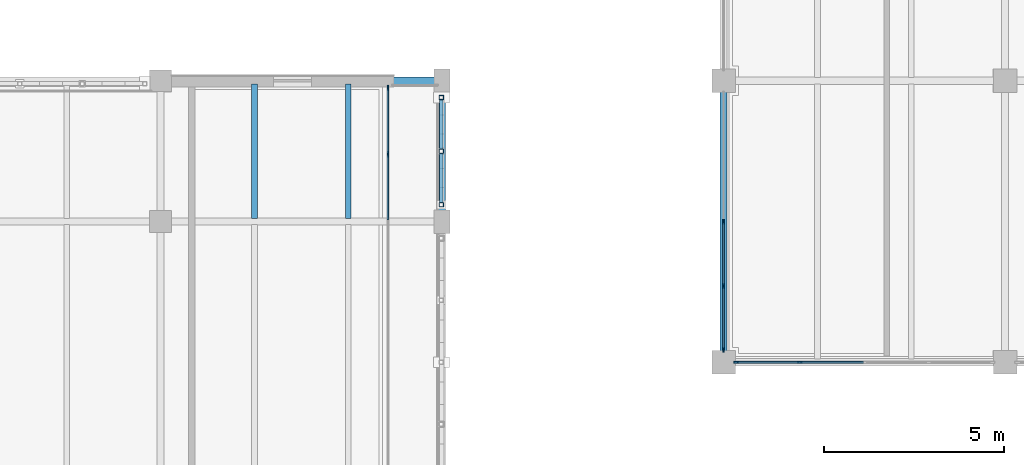
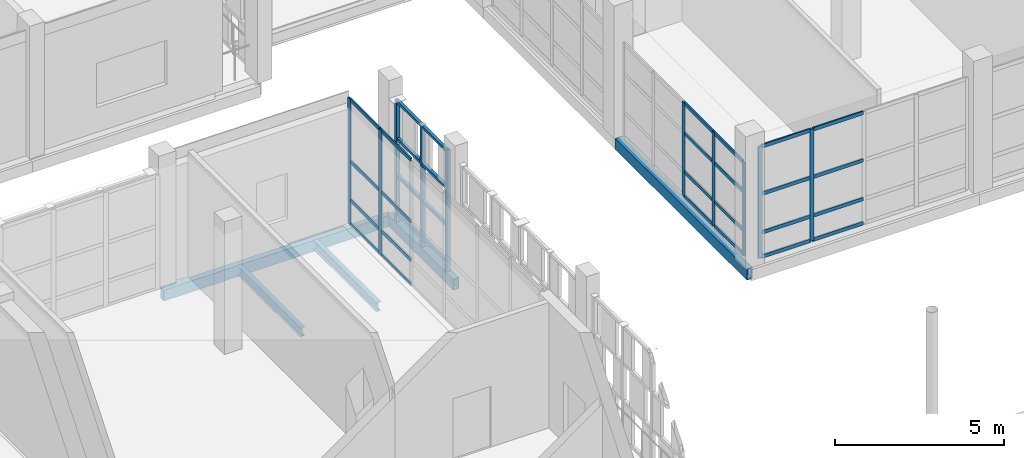
# One storey, part 28 of 138: 42 members, 5 beams, 3 elements without a shape of their own.
"""IFC4 building model written with IfcOpenShell, lengths in metres."""

from ifc_helpers import new_model, si_unit, direction, frame, origin, origin_2d, place, context, subcontext, project, spatial, rectangle, hollow_rectangle, i_section, extrude, material, layer, layer_set, material_profile, profile_set, type_object, element, aggregate, save


model = new_model("IFC4")

# Units and contexts
model_context = context("Model", 3, precision=1e-05, world=origin(), true_north=direction((0.0, 1.0)))
body_context = subcontext(model_context, "Body", "Model", "MODEL_VIEW")
ifc_project = project(units=[si_unit("LENGTHUNIT", "METRE"), si_unit("AREAUNIT", "SQUARE_METRE"), si_unit("VOLUMEUNIT", "CUBIC_METRE"), si_unit("PLANEANGLEUNIT", "RADIAN"), si_unit("MASSUNIT", "GRAM", prefix="KILO")], contexts=[model_context])

# Site, building, storey
site_placement = place(None, origin())
site = spatial("IfcSite", under=ifc_project, at=site_placement, CompositionType="ELEMENT")
building_placement = place(site_placement, origin())
building = spatial("IfcBuilding", under=site, at=building_placement, Name="Celorna Specialist Clinic", CompositionType="ELEMENT")
storey_placement = place(building_placement, frame((0.0, 0.0, 4.800048828125)))
storey = spatial("IfcBuildingStorey", under=building, at=storey_placement, Name="L01", CompositionType="ELEMENT", Elevation=4.800048828125)

# Beams
ifc_material_1 = material(Name="Steel S355", Category="steel")
ifc_material_profile_1 = material_profile(ifc_material_1, i_section(OverallWidth=0.159912109375, OverallDepth=0.330078125, WebThickness=0.007568359375, FlangeThickness=0.011474609375, at=origin_2d()), Name="IPE 330")
ifc_profile_set_1 = profile_set([ifc_material_profile_1], Name="Steel S355")
beam_type_1 = type_object("IfcBeamType", Name="BM-12", PredefinedType="JOIST", material=ifc_profile_set_1)
for number, where, z_axis, x_axis, name in (
    (1, (41.60009765625, 23.488037109375, -0.425048828125), (0.0, 1.0, 0.0), (-1.0, 0.0, 0.0), "Secondary floor joist BM-12 #1702"),
    (2, (44.199951171875, 23.488037109375, -0.425048828125), (0.0, 1.0, 0.0), (-1.0, 0.0, 0.0), "Secondary floor joist BM-12 #1703"),
):
    element("IfcBeam", number, at=place(storey_placement, frame(where, z_axis=z_axis, x_axis=x_axis)), inside=storey, type_object=beam_type_1, Name=name, PredefinedType="JOIST", context=body_context, shape_type="SweptSolid", body=[
        extrude(i_section(OverallWidth=0.159912109375, OverallDepth=0.330078125, WebThickness=0.007568359375, FlangeThickness=0.011474609375, at=origin_2d()), origin(), (0.0, 0.0, 1.0), 3.723876953125),
    ])
ifc_material_profile_2 = material_profile(ifc_material_1, hollow_rectangle(XDim=0.199951171875, YDim=0.39990234375, WallThickness=0.011962890625, at=origin_2d()), Name="RHS 200x400x12")
ifc_profile_set_2 = profile_set([ifc_material_profile_2], Name="Steel S355")
beam_type_2 = type_object("IfcBeamType", Name="BM-15", PredefinedType="SPANDREL", material=ifc_profile_set_2)
beam_1_placement = place(storey_placement, frame((39.0, 27.300048828125, -0.4599609375), z_axis=(1.0, 0.0, 0.0), x_axis=(0.0, 1.0, 0.0)))
element("IfcBeam", 3, at=beam_1_placement, inside=storey, type_object=beam_type_2, Name="Spandrel beam BM-15 #1617", PredefinedType="SPANDREL", context=body_context, shape_type="SweptSolid", body=[
    extrude(hollow_rectangle(XDim=0.199951171875, YDim=0.39990234375, WallThickness=0.011962890625, at=origin_2d()), origin(), (0.0, 0.0, 1.0), 7.800048828125),
])
beam_2_placement = place(storey_placement, frame((46.800048828125, 23.39990234375, -0.4599609375), z_axis=(0.0, 1.0, 0.0), x_axis=(-1.0, 0.0, 0.0)))
element("IfcBeam", 4, at=beam_2_placement, inside=storey, type_object=beam_type_2, Name="Spandrel beam BM-15 #1652", PredefinedType="SPANDREL", context=body_context, shape_type="SweptSolid", body=[
    extrude(hollow_rectangle(XDim=0.199951171875, YDim=0.39990234375, WallThickness=0.011962890625, at=origin_2d()), origin(), (0.0, 0.0, 1.0), 3.900146484375),
])
beam_3_placement = place(storey_placement, frame((54.60009765625, 19.5, -0.4599609375), z_axis=(0.0, 1.0, 0.0), x_axis=(-1.0, 0.0, 0.0)))
element("IfcBeam", 5, at=beam_3_placement, inside=storey, type_object=beam_type_2, Name="Spandrel beam BM-15 #2079", PredefinedType="SPANDREL", context=body_context, shape_type="SweptSolid", body=[
    extrude(hollow_rectangle(XDim=0.199951171875, YDim=0.39990234375, WallThickness=0.011962890625, at=origin_2d()), origin(), (0.0, 0.0, 1.0), 7.800048828125),
])

# Members
ifc_material_profile_3 = material_profile(ifc_material_1, hollow_rectangle(XDim=0.1201171875, YDim=0.1201171875, WallThickness=0.008056640625, at=origin_2d()), Name="SHS 120x120x8")
ifc_profile_set_3 = profile_set([ifc_material_profile_3], Name="Steel S355")
member_type_1 = type_object("IfcMemberType", Name="MB-11", PredefinedType="STUD", material=ifc_profile_set_3)
for number, where, z_axis, x_axis, name in (
    (6, (46.780029296875, 23.864990234375, -0.360107421875), (0.0, 0.0, 1.0), (1.0, 0.0, 0.0), "Perforated screen steel post #1661"),
    (7, (46.780029296875, 25.35009765625, -0.360107421875), (0.0, 0.0, 1.0), (1.0, 0.0, 0.0), "Perforated screen steel post #1662"),
    (8, (46.780029296875, 26.8349609375, -0.360107421875), (0.0, 0.0, 1.0), (1.0, 0.0, 0.0), "Perforated screen steel post #1663"),
):
    element("IfcMember", number, at=place(storey_placement, frame(where, z_axis=z_axis, x_axis=x_axis)), inside=storey, type_object=member_type_1, Name=name, PredefinedType="STUD", context=body_context, shape_type="SweptSolid", body=[
        extrude(hollow_rectangle(XDim=0.1201171875, YDim=0.1201171875, WallThickness=0.008056640625, at=origin_2d()), origin(), (0.0, 0.0, 1.0), 4.5),
    ])
ifc_material_profile_4 = material_profile(ifc_material_1, hollow_rectangle(XDim=0.10009765625, YDim=0.10009765625, WallThickness=0.006103515625, at=origin_2d()), Name="SHS 100x100x6")
ifc_profile_set_4 = profile_set([ifc_material_profile_4], Name="Steel S355")
member_type_2 = type_object("IfcMemberType", Name="MB-12", PredefinedType="STUD", material=ifc_profile_set_4)
for number, where, z_axis, x_axis, name in (
    (9, (46.780029296875, 23.925048828125, 0.050048828125), (0.0, 1.0, 0.0), (-1.0, 0.0, 0.0), "Perforated screen rail #1664"),
    (10, (46.780029296875, 23.925048828125, 1.396728515625), (0.0, 1.0, 0.0), (-1.0, 0.0, 0.0), "Perforated screen rail #1665"),
    (11, (46.780029296875, 23.925048828125, 2.7431640625), (0.0, 1.0, 0.0), (-1.0, 0.0, 0.0), "Perforated screen rail #1666"),
    (12, (46.780029296875, 23.925048828125, 4.08984375), (0.0, 1.0, 0.0), (-1.0, 0.0, 0.0), "Perforated screen rail #1667"),
    (13, (46.780029296875, 25.409912109375, 0.050048828125), (0.0, 1.0, 0.0), (-1.0, 0.0, 0.0), "Perforated screen rail #1668"),
    (14, (46.780029296875, 25.409912109375, 1.396728515625), (0.0, 1.0, 0.0), (-1.0, 0.0, 0.0), "Perforated screen rail #1669"),
    (15, (46.780029296875, 25.409912109375, 2.7431640625), (0.0, 1.0, 0.0), (-1.0, 0.0, 0.0), "Perforated screen rail #1670"),
    (16, (46.780029296875, 25.409912109375, 4.08984375), (0.0, 1.0, 0.0), (-1.0, 0.0, 0.0), "Perforated screen rail #1671"),
):
    element("IfcMember", number, at=place(storey_placement, frame(where, z_axis=z_axis, x_axis=x_axis)), inside=storey, type_object=member_type_2, Name=name, PredefinedType="STUD", context=body_context, shape_type="SweptSolid", body=[
        extrude(hollow_rectangle(XDim=0.10009765625, YDim=0.10009765625, WallThickness=0.006103515625, at=origin_2d()), origin(), (0.0, 0.0, 1.0), 1.364990234375),
    ])

# Curtain wall, members
ifc_material_2 = material(Name="Thermally broken aluminium and solar-control glass curtain wall", Category="aluminium")
ifc_layer_1 = layer(ifc_material_2, 0.159912109375, Name="Thermally broken aluminium and solar-control glass curtain wall")
ifc_layer_set_1 = layer_set([ifc_layer_1], Name="Thermally broken aluminium and solar-control glass curtain wall")
curtain_wall_type_1 = type_object("IfcCurtainWallType", Name="CW-86", PredefinedType="NOTDEFINED", material=ifc_layer_set_1)
curtain_wall_1_placement = place(storey_placement, origin())
curtain_wall_1 = element("IfcCurtainWall", 17, at=curtain_wall_1_placement, inside=storey, type_object=curtain_wall_type_1, Name="Curtain wall CW-86 #160", PredefinedType="NOTDEFINED")
ifc_material_3 = material(Name="Anodized aluminium mullion", Category="aluminium")
ifc_material_profile_5 = material_profile(ifc_material_3, rectangle(XDim=0.050048828125, YDim=0.159912109375, at=origin_2d()), Name="ALU MULLION 50x160")
ifc_profile_set_5 = profile_set([ifc_material_profile_5], Name="Anodized aluminium mullion")
member_type_3 = type_object("IfcMemberType", Name="ML-01", PredefinedType="MULLION", material=ifc_profile_set_5)
member_1_placement = place(storey_placement, frame((45.300048828125, 27.10107421875, 0.0), z_axis=(0.0, 0.0, 1.0), x_axis=(1.0, 0.0, 0.0)))
member_1 = element("IfcMember", 18, at=member_1_placement, type_object=member_type_3, Name="CW-86 mullion 1", PredefinedType="MULLION", context=body_context, shape_type="SweptSolid", body=[
    extrude(rectangle(XDim=0.050048828125, YDim=0.159912109375, at=origin_2d()), origin(), (0.0, 0.0, 1.0), 4.5400390625),
])
member_2_placement = place(storey_placement, frame((45.300048828125, 25.264892578125, 0.0), z_axis=(0.0, 0.0, 1.0), x_axis=(1.0, 0.0, 0.0)))
member_2 = element("IfcMember", 19, at=member_2_placement, type_object=member_type_3, Name="CW-86 mullion 2", PredefinedType="MULLION", context=body_context, shape_type="SweptSolid", body=[
    extrude(rectangle(XDim=0.050048828125, YDim=0.159912109375, at=origin_2d()), origin(), (0.0, 0.0, 1.0), 4.5400390625),
])

ifc_layer_2 = layer(ifc_material_2, 0.159912109375, Name="Thermally broken aluminium and solar-control glass curtain wall")
ifc_layer_set_2 = layer_set([ifc_layer_2], Name="Thermally broken aluminium and solar-control glass curtain wall")
curtain_wall_type_2 = type_object("IfcCurtainWallType", Name="CW-105", PredefinedType="NOTDEFINED", material=ifc_layer_set_2)
curtain_wall_2_placement = place(storey_placement, origin())
curtain_wall_2 = element("IfcCurtainWall", 20, at=curtain_wall_2_placement, inside=storey, type_object=curtain_wall_type_2, Name="Curtain wall CW-105 #186", PredefinedType="NOTDEFINED")
ifc_material_profile_6 = material_profile(ifc_material_3, rectangle(XDim=0.050048828125, YDim=0.139892578125, at=origin_2d()), Name="ALU MULLION 50x140")
ifc_profile_set_6 = profile_set([ifc_material_profile_6], Name="Anodized aluminium mullion")
member_type_4 = type_object("IfcMemberType", Name="ML-03", PredefinedType="MULLION", material=ifc_profile_set_6)
member_3_placement = place(storey_placement, frame((56.714599609375, 19.5, 0.0), z_axis=(0.0, 0.0, 1.0), x_axis=(0.0, -1.0, 0.0)))
member_3 = element("IfcMember", 21, at=member_3_placement, type_object=member_type_4, Name="CW-105 mullion 4", PredefinedType="MULLION", context=body_context, shape_type="SweptSolid", body=[
    extrude(rectangle(XDim=0.050048828125, YDim=0.139892578125, at=origin_2d()), origin(), (0.0, 0.0, 1.0), 4.0400390625),
])
member_4_placement = place(storey_placement, frame((54.9541015625, 19.5, 0.0), z_axis=(0.0, 0.0, 1.0), x_axis=(0.0, -1.0, 0.0)))
member_4 = element("IfcMember", 22, at=member_4_placement, type_object=member_type_4, Name="CW-105 mullion 5", PredefinedType="MULLION", context=body_context, shape_type="SweptSolid", body=[
    extrude(rectangle(XDim=0.050048828125, YDim=0.139892578125, at=origin_2d()), origin(), (0.0, 0.0, 1.0), 4.0400390625),
])

ifc_layer_3 = layer(ifc_material_2, 0.159912109375, Name="Thermally broken aluminium and solar-control glass curtain wall")
ifc_layer_set_3 = layer_set([ifc_layer_3], Name="Thermally broken aluminium and solar-control glass curtain wall")
curtain_wall_type_3 = type_object("IfcCurtainWallType", Name="CW-108", PredefinedType="NOTDEFINED", material=ifc_layer_set_3)
curtain_wall_3_placement = place(storey_placement, origin())
curtain_wall_3 = element("IfcCurtainWall", 23, at=curtain_wall_3_placement, inside=storey, type_object=curtain_wall_type_3, Name="Curtain wall CW-108 #190", PredefinedType="NOTDEFINED")
member_5_placement = place(storey_placement, frame((54.60009765625, 19.85400390625, 0.0), z_axis=(0.0, 0.0, 1.0), x_axis=(-1.0, 0.0, 0.0)))
member_5 = element("IfcMember", 24, at=member_5_placement, type_object=member_type_4, Name="CW-108 mullion 1", PredefinedType="MULLION", context=body_context, shape_type="SweptSolid", body=[
    extrude(rectangle(XDim=0.050048828125, YDim=0.139892578125, at=origin_2d()), origin(), (0.0, 0.0, 1.0), 3.389892578125),
])
member_6_placement = place(storey_placement, frame((54.60009765625, 21.614501953125, 0.0), z_axis=(0.0, 0.0, 1.0), x_axis=(-1.0, 0.0, 0.0)))
member_6 = element("IfcMember", 25, at=member_6_placement, type_object=member_type_4, Name="CW-108 mullion 2", PredefinedType="MULLION", context=body_context, shape_type="SweptSolid", body=[
    extrude(rectangle(XDim=0.050048828125, YDim=0.139892578125, at=origin_2d()), origin(), (0.0, 0.0, 1.0), 3.389892578125),
])
member_7_placement = place(storey_placement, frame((54.60009765625, 23.39990234375, 0.0), z_axis=(0.0, 0.0, 1.0), x_axis=(-1.0, 0.0, 0.0)))
member_7 = element("IfcMember", 26, at=member_7_placement, type_object=member_type_4, Name="CW-108 mullion 3", PredefinedType="MULLION", context=body_context, shape_type="SweptSolid", body=[
    extrude(rectangle(XDim=0.050048828125, YDim=0.139892578125, at=origin_2d()), origin(), (0.0, 0.0, 1.0), 3.389892578125),
])

# Member
ifc_material_4 = material(Name="Anodized aluminium transom", Category="aluminium")
ifc_material_profile_7 = material_profile(ifc_material_4, rectangle(XDim=0.050048828125, YDim=0.1298828125, at=origin_2d()), Name="ALU TRANSOM 50x130")
ifc_profile_set_7 = profile_set([ifc_material_profile_7], Name="Anodized aluminium transom")
member_type_5 = type_object("IfcMemberType", Name="TR-01", PredefinedType="USERDEFINED", material=ifc_profile_set_7)
member_8_placement = place(storey_placement, frame((45.300048828125, 27.075927734375, 0.02490234375), z_axis=(0.0, -1.0, 0.0), x_axis=(1.0, 0.0, 0.0)))
member_8 = element("IfcMember", 27, at=member_8_placement, type_object=member_type_5, Name="CW-86 transom 1.1", ObjectType="TRANSOM", PredefinedType="USERDEFINED", context=body_context, shape_type="SweptSolid", body=[
    extrude(rectangle(XDim=0.050048828125, YDim=0.1298828125, at=origin_2d()), origin(), (0.0, 0.0, 1.0), 1.785888671875),
])

member_9_placement = place(storey_placement, frame((45.300048828125, 27.075927734375, 0.89990234375), z_axis=(0.0, -1.0, 0.0), x_axis=(1.0, 0.0, 0.0)))
member_9 = element("IfcMember", 28, at=member_9_placement, type_object=member_type_5, Name="CW-86 transom 1.2", ObjectType="TRANSOM", PredefinedType="USERDEFINED", context=body_context, shape_type="SweptSolid", body=[
    extrude(rectangle(XDim=0.050048828125, YDim=0.1298828125, at=origin_2d()), origin(), (0.0, 0.0, 1.0), 1.785888671875),
])

member_10_placement = place(storey_placement, frame((45.300048828125, 27.075927734375, 2.300048828125), z_axis=(0.0, -1.0, 0.0), x_axis=(1.0, 0.0, 0.0)))
member_10 = element("IfcMember", 29, at=member_10_placement, type_object=member_type_5, Name="CW-86 transom 1.3", ObjectType="TRANSOM", PredefinedType="USERDEFINED", context=body_context, shape_type="SweptSolid", body=[
    extrude(rectangle(XDim=0.050048828125, YDim=0.1298828125, at=origin_2d()), origin(), (0.0, 0.0, 1.0), 1.785888671875),
])

member_11_placement = place(storey_placement, frame((45.300048828125, 27.075927734375, 4.514892578125), z_axis=(0.0, -1.0, 0.0), x_axis=(1.0, 0.0, 0.0)))
member_11 = element("IfcMember", 30, at=member_11_placement, type_object=member_type_5, Name="CW-86 transom 1.4", ObjectType="TRANSOM", PredefinedType="USERDEFINED", context=body_context, shape_type="SweptSolid", body=[
    extrude(rectangle(XDim=0.050048828125, YDim=0.1298828125, at=origin_2d()), origin(), (0.0, 0.0, 1.0), 1.785888671875),
])

member_12_placement = place(storey_placement, frame((45.300048828125, 25.239990234375, 0.02490234375), z_axis=(0.0, -1.0, 0.0), x_axis=(1.0, 0.0, 0.0)))
member_12 = element("IfcMember", 31, at=member_12_placement, type_object=member_type_5, Name="CW-86 transom 2.1", ObjectType="TRANSOM", PredefinedType="USERDEFINED", context=body_context, shape_type="SweptSolid", body=[
    extrude(rectangle(XDim=0.050048828125, YDim=0.1298828125, at=origin_2d()), origin(), (0.0, 0.0, 1.0), 1.785888671875),
])

member_13_placement = place(storey_placement, frame((45.300048828125, 25.239990234375, 0.89990234375), z_axis=(0.0, -1.0, 0.0), x_axis=(1.0, 0.0, 0.0)))
member_13 = element("IfcMember", 32, at=member_13_placement, type_object=member_type_5, Name="CW-86 transom 2.2", ObjectType="TRANSOM", PredefinedType="USERDEFINED", context=body_context, shape_type="SweptSolid", body=[
    extrude(rectangle(XDim=0.050048828125, YDim=0.1298828125, at=origin_2d()), origin(), (0.0, 0.0, 1.0), 1.785888671875),
])

member_14_placement = place(storey_placement, frame((45.300048828125, 25.239990234375, 2.300048828125), z_axis=(0.0, -1.0, 0.0), x_axis=(1.0, 0.0, 0.0)))
member_14 = element("IfcMember", 33, at=member_14_placement, type_object=member_type_5, Name="CW-86 transom 2.3", ObjectType="TRANSOM", PredefinedType="USERDEFINED", context=body_context, shape_type="SweptSolid", body=[
    extrude(rectangle(XDim=0.050048828125, YDim=0.1298828125, at=origin_2d()), origin(), (0.0, 0.0, 1.0), 1.785888671875),
])

member_15_placement = place(storey_placement, frame((45.300048828125, 25.239990234375, 4.514892578125), z_axis=(0.0, -1.0, 0.0), x_axis=(1.0, 0.0, 0.0)))
member_15 = element("IfcMember", 34, at=member_15_placement, type_object=member_type_5, Name="CW-86 transom 2.4", ObjectType="TRANSOM", PredefinedType="USERDEFINED", context=body_context, shape_type="SweptSolid", body=[
    extrude(rectangle(XDim=0.050048828125, YDim=0.1298828125, at=origin_2d()), origin(), (0.0, 0.0, 1.0), 1.785888671875),
])

aggregate(curtain_wall_1, [member_1, member_2, member_8, member_9, member_10, member_11, member_12, member_13, member_14, member_15])

member_16_placement = place(storey_placement, frame((58.47509765625, 19.5, 0.02490234375), z_axis=(-1.0, 0.0, 0.0), x_axis=(0.0, -1.0, 0.0)))
member_16 = element("IfcMember", 35, at=member_16_placement, type_object=member_type_5, Name="CW-105 transom 3.1", ObjectType="TRANSOM", PredefinedType="USERDEFINED", context=body_context, shape_type="SweptSolid", body=[
    extrude(rectangle(XDim=0.050048828125, YDim=0.1298828125, at=origin_2d()), origin(), (0.0, 0.0, 1.0), 1.735595703125),
])

member_17_placement = place(storey_placement, frame((58.47509765625, 19.5, 0.89990234375), z_axis=(-1.0, 0.0, 0.0), x_axis=(0.0, -1.0, 0.0)))
member_17 = element("IfcMember", 36, at=member_17_placement, type_object=member_type_5, Name="CW-105 transom 3.2", ObjectType="TRANSOM", PredefinedType="USERDEFINED", context=body_context, shape_type="SweptSolid", body=[
    extrude(rectangle(XDim=0.050048828125, YDim=0.1298828125, at=origin_2d()), origin(), (0.0, 0.0, 1.0), 1.735595703125),
])

member_18_placement = place(storey_placement, frame((58.47509765625, 19.5, 2.300048828125), z_axis=(-1.0, 0.0, 0.0), x_axis=(0.0, -1.0, 0.0)))
member_18 = element("IfcMember", 37, at=member_18_placement, type_object=member_type_5, Name="CW-105 transom 3.3", ObjectType="TRANSOM", PredefinedType="USERDEFINED", context=body_context, shape_type="SweptSolid", body=[
    extrude(rectangle(XDim=0.050048828125, YDim=0.1298828125, at=origin_2d()), origin(), (0.0, 0.0, 1.0), 1.735595703125),
])

member_19_placement = place(storey_placement, frame((58.47509765625, 19.5, 4.014892578125), z_axis=(-1.0, 0.0, 0.0), x_axis=(0.0, -1.0, 0.0)))
member_19 = element("IfcMember", 38, at=member_19_placement, type_object=member_type_5, Name="CW-105 transom 3.4", ObjectType="TRANSOM", PredefinedType="USERDEFINED", context=body_context, shape_type="SweptSolid", body=[
    extrude(rectangle(XDim=0.050048828125, YDim=0.1298828125, at=origin_2d()), origin(), (0.0, 0.0, 1.0), 1.735595703125),
])

member_20_placement = place(storey_placement, frame((56.689453125, 19.5, 0.02490234375), z_axis=(-1.0, 0.0, 0.0), x_axis=(0.0, -1.0, 0.0)))
member_20 = element("IfcMember", 39, at=member_20_placement, type_object=member_type_5, Name="CW-105 transom 4.1", ObjectType="TRANSOM", PredefinedType="USERDEFINED", context=body_context, shape_type="SweptSolid", body=[
    extrude(rectangle(XDim=0.050048828125, YDim=0.1298828125, at=origin_2d()), origin(), (0.0, 0.0, 1.0), 1.71044921875),
])

member_21_placement = place(storey_placement, frame((56.689453125, 19.5, 0.89990234375), z_axis=(-1.0, 0.0, 0.0), x_axis=(0.0, -1.0, 0.0)))
member_21 = element("IfcMember", 40, at=member_21_placement, type_object=member_type_5, Name="CW-105 transom 4.2", ObjectType="TRANSOM", PredefinedType="USERDEFINED", context=body_context, shape_type="SweptSolid", body=[
    extrude(rectangle(XDim=0.050048828125, YDim=0.1298828125, at=origin_2d()), origin(), (0.0, 0.0, 1.0), 1.71044921875),
])

member_22_placement = place(storey_placement, frame((56.689453125, 19.5, 2.300048828125), z_axis=(-1.0, 0.0, 0.0), x_axis=(0.0, -1.0, 0.0)))
member_22 = element("IfcMember", 41, at=member_22_placement, type_object=member_type_5, Name="CW-105 transom 4.3", ObjectType="TRANSOM", PredefinedType="USERDEFINED", context=body_context, shape_type="SweptSolid", body=[
    extrude(rectangle(XDim=0.050048828125, YDim=0.1298828125, at=origin_2d()), origin(), (0.0, 0.0, 1.0), 1.71044921875),
])

member_23_placement = place(storey_placement, frame((56.689453125, 19.5, 4.014892578125), z_axis=(-1.0, 0.0, 0.0), x_axis=(0.0, -1.0, 0.0)))
member_23 = element("IfcMember", 42, at=member_23_placement, type_object=member_type_5, Name="CW-105 transom 4.4", ObjectType="TRANSOM", PredefinedType="USERDEFINED", context=body_context, shape_type="SweptSolid", body=[
    extrude(rectangle(XDim=0.050048828125, YDim=0.1298828125, at=origin_2d()), origin(), (0.0, 0.0, 1.0), 1.71044921875),
])

aggregate(curtain_wall_2, [member_3, member_4, member_16, member_17, member_18, member_19, member_20, member_21, member_22, member_23])

member_24_placement = place(storey_placement, frame((54.60009765625, 19.87890625, 0.02490234375), z_axis=(0.0, 1.0, 0.0), x_axis=(-1.0, 0.0, 0.0)))
member_24 = element("IfcMember", 43, at=member_24_placement, type_object=member_type_5, Name="CW-108 transom 1.1", ObjectType="TRANSOM", PredefinedType="USERDEFINED", context=body_context, shape_type="SweptSolid", body=[
    extrude(rectangle(XDim=0.050048828125, YDim=0.1298828125, at=origin_2d()), origin(), (0.0, 0.0, 1.0), 1.710693359375),
])

member_25_placement = place(storey_placement, frame((54.60009765625, 19.87890625, 0.89990234375), z_axis=(0.0, 1.0, 0.0), x_axis=(-1.0, 0.0, 0.0)))
member_25 = element("IfcMember", 44, at=member_25_placement, type_object=member_type_5, Name="CW-108 transom 1.2", ObjectType="TRANSOM", PredefinedType="USERDEFINED", context=body_context, shape_type="SweptSolid", body=[
    extrude(rectangle(XDim=0.050048828125, YDim=0.1298828125, at=origin_2d()), origin(), (0.0, 0.0, 1.0), 1.710693359375),
])

member_26_placement = place(storey_placement, frame((54.60009765625, 19.87890625, 2.300048828125), z_axis=(0.0, 1.0, 0.0), x_axis=(-1.0, 0.0, 0.0)))
member_26 = element("IfcMember", 45, at=member_26_placement, type_object=member_type_5, Name="CW-108 transom 1.3", ObjectType="TRANSOM", PredefinedType="USERDEFINED", context=body_context, shape_type="SweptSolid", body=[
    extrude(rectangle(XDim=0.050048828125, YDim=0.1298828125, at=origin_2d()), origin(), (0.0, 0.0, 1.0), 1.710693359375),
])

member_27_placement = place(storey_placement, frame((54.60009765625, 19.87890625, 3.364990234375), z_axis=(0.0, 1.0, 0.0), x_axis=(-1.0, 0.0, 0.0)))
member_27 = element("IfcMember", 46, at=member_27_placement, type_object=member_type_5, Name="CW-108 transom 1.4", ObjectType="TRANSOM", PredefinedType="USERDEFINED", context=body_context, shape_type="SweptSolid", body=[
    extrude(rectangle(XDim=0.050048828125, YDim=0.1298828125, at=origin_2d()), origin(), (0.0, 0.0, 1.0), 1.710693359375),
])

member_28_placement = place(storey_placement, frame((54.60009765625, 21.639404296875, 0.02490234375), z_axis=(0.0, 1.0, 0.0), x_axis=(-1.0, 0.0, 0.0)))
member_28 = element("IfcMember", 47, at=member_28_placement, type_object=member_type_5, Name="CW-108 transom 2.1", ObjectType="TRANSOM", PredefinedType="USERDEFINED", context=body_context, shape_type="SweptSolid", body=[
    extrude(rectangle(XDim=0.050048828125, YDim=0.1298828125, at=origin_2d()), origin(), (0.0, 0.0, 1.0), 1.735595703125),
])

member_29_placement = place(storey_placement, frame((54.60009765625, 21.639404296875, 0.89990234375), z_axis=(0.0, 1.0, 0.0), x_axis=(-1.0, 0.0, 0.0)))
member_29 = element("IfcMember", 48, at=member_29_placement, type_object=member_type_5, Name="CW-108 transom 2.2", ObjectType="TRANSOM", PredefinedType="USERDEFINED", context=body_context, shape_type="SweptSolid", body=[
    extrude(rectangle(XDim=0.050048828125, YDim=0.1298828125, at=origin_2d()), origin(), (0.0, 0.0, 1.0), 1.735595703125),
])

member_30_placement = place(storey_placement, frame((54.60009765625, 21.639404296875, 2.300048828125), z_axis=(0.0, 1.0, 0.0), x_axis=(-1.0, 0.0, 0.0)))
member_30 = element("IfcMember", 49, at=member_30_placement, type_object=member_type_5, Name="CW-108 transom 2.3", ObjectType="TRANSOM", PredefinedType="USERDEFINED", context=body_context, shape_type="SweptSolid", body=[
    extrude(rectangle(XDim=0.050048828125, YDim=0.1298828125, at=origin_2d()), origin(), (0.0, 0.0, 1.0), 1.735595703125),
])

member_31_placement = place(storey_placement, frame((54.60009765625, 21.639404296875, 3.364990234375), z_axis=(0.0, 1.0, 0.0), x_axis=(-1.0, 0.0, 0.0)))
member_31 = element("IfcMember", 50, at=member_31_placement, type_object=member_type_5, Name="CW-108 transom 2.4", ObjectType="TRANSOM", PredefinedType="USERDEFINED", context=body_context, shape_type="SweptSolid", body=[
    extrude(rectangle(XDim=0.050048828125, YDim=0.1298828125, at=origin_2d()), origin(), (0.0, 0.0, 1.0), 1.735595703125),
])

aggregate(curtain_wall_3, [member_5, member_6, member_7, member_24, member_25, member_26, member_27, member_28, member_29, member_30, member_31])

save(model, "model.ifc")
